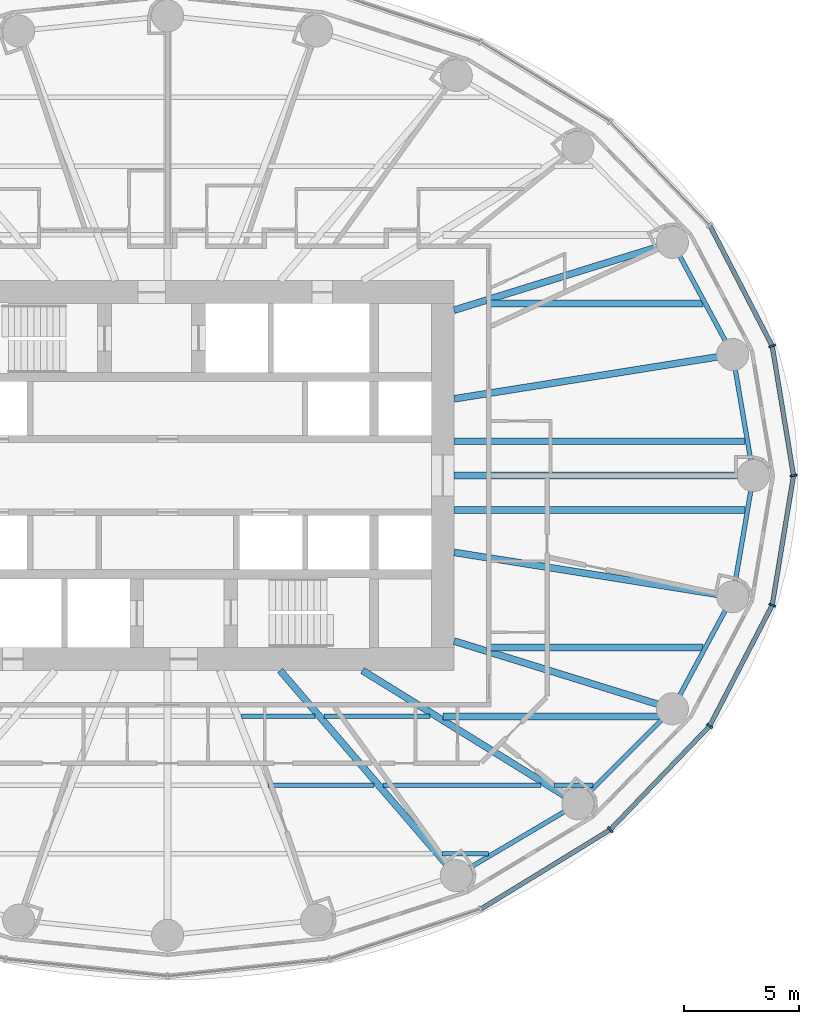
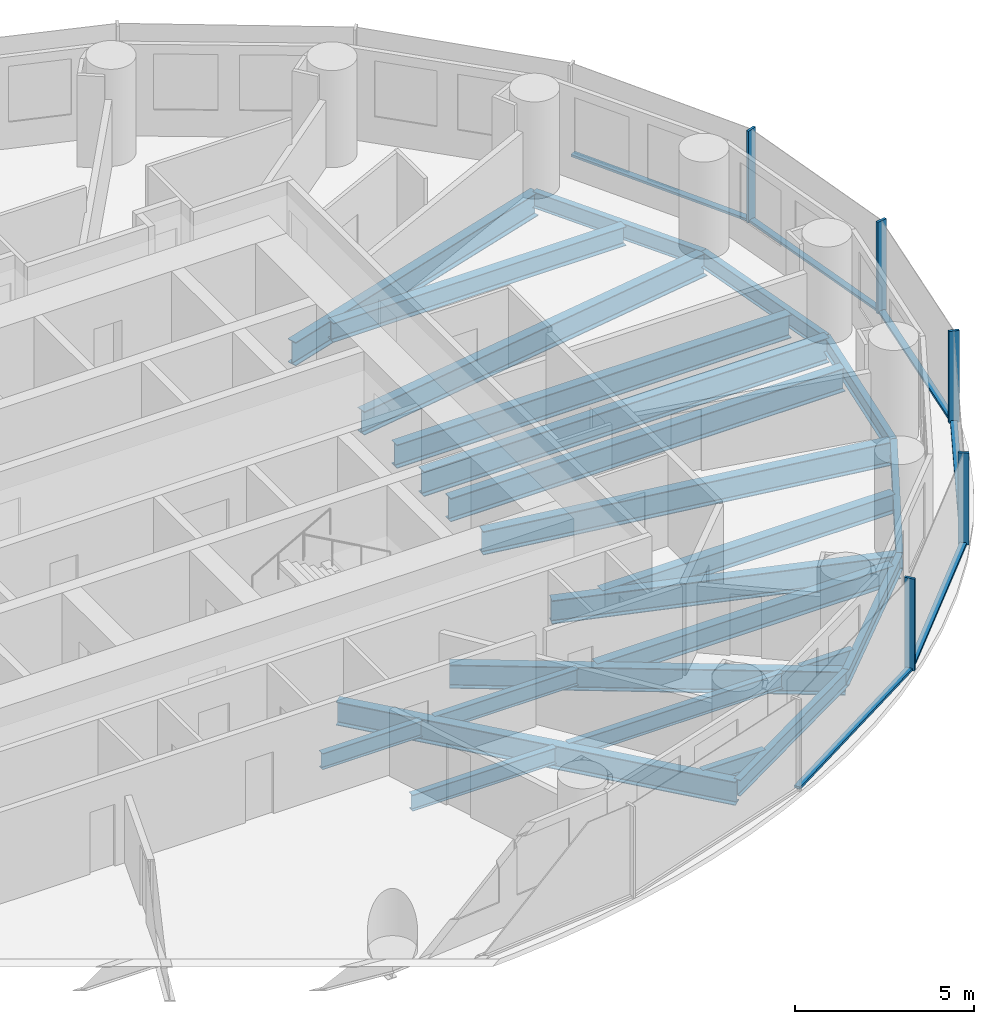
# One storey, part 3 of 14: 24 beams, 11 members, 2 elements without a shape of their own.
"""IFC4 building model written with IfcOpenShell, lengths in metres."""

from ifc_helpers import new_model, si_unit, direction, frame, origin, origin_2d, place, context, subcontext, project, spatial, rectangle, i_section, extrude, material, material_profile, profile_set, type_object, element, aggregate, save


model = new_model("IFC4")

# Units and contexts
model_context = context("Model", 3, precision=1e-05, world=origin(), true_north=direction((0.0, 1.0)))
body_context = subcontext(model_context, "Body", "Model", "MODEL_VIEW")
ifc_project = project(units=[si_unit("LENGTHUNIT", "METRE"), si_unit("AREAUNIT", "SQUARE_METRE"), si_unit("VOLUMEUNIT", "CUBIC_METRE"), si_unit("PLANEANGLEUNIT", "RADIAN"), si_unit("MASSUNIT", "GRAM", prefix="KILO")], contexts=[model_context])

# Site, building, storey
site_placement = place(None, origin())
site = spatial("IfcSite", under=ifc_project, at=site_placement, CompositionType="ELEMENT")
building_placement = place(site_placement, origin())
building = spatial("IfcBuilding", under=site, at=building_placement, Name="Hankou Lantern Tower", CompositionType="ELEMENT")
storey_placement = place(building_placement, frame((0.0, 0.0, 87.0)))
storey = spatial("IfcBuildingStorey", under=building, at=storey_placement, Name="L22", CompositionType="ELEMENT", Elevation=87.0)

# Beams
ifc_material_1 = material(Name="Steel Q355B", Category="steel")
ifc_material_profile_1 = material_profile(ifc_material_1, i_section(OverallWidth=0.199951171875, OverallDepth=0.550048828125, WebThickness=0.010009765625, FlangeThickness=0.01611328125, FilletRadius=0.012939453125, at=origin_2d()), Name="HN550x200x10x16")
ifc_profile_set_1 = profile_set([ifc_material_profile_1], Name="Steel Q355B")
beam_type_1 = type_object("IfcBeamType", Name="EB6 RING BEAM HN550x200x10x16", PredefinedType="SPANDREL", material=ifc_profile_set_1)
beam_1_placement = place(storey_placement, frame((25.550048828125, 0.0, -0.455078125), z_axis=(-0.168489691988, 0.985703415685, 0.0), x_axis=(-0.985703415685, -0.168489691988, 0.0)))
element("IfcBeam", 1, at=beam_1_placement, inside=storey, type_object=beam_type_1, Name="Ring beam R01-R02 L22", PredefinedType="SPANDREL", context=body_context, shape_type="SweptSolid", body=[
    extrude(i_section(OverallWidth=0.199951171875, OverallDepth=0.550048828125, WebThickness=0.010009765625, FlangeThickness=0.01611328125, FilletRadius=0.012939453125, at=origin_2d()), origin(), (0.0, 0.0, 1.0), 5.35986328125),
])
beam_2_placement = place(storey_placement, frame((24.64697265625, 5.283203125, -0.455078125), z_axis=(-0.473609096023, 0.880735161194, 0.0), x_axis=(-0.880735161194, -0.473609096023, 0.0)))
element("IfcBeam", 2, at=beam_2_placement, inside=storey, type_object=beam_type_1, Name="Ring beam R02-R03 L22", PredefinedType="SPANDREL", context=body_context, shape_type="SweptSolid", body=[
    extrude(i_section(OverallWidth=0.199951171875, OverallDepth=0.550048828125, WebThickness=0.010009765625, FlangeThickness=0.01611328125, FilletRadius=0.012939453125, at=origin_2d()), origin(), (0.0, 0.0, 1.0), 5.548828125),
])
beam_3_placement = place(storey_placement, frame((12.5908203125, -17.446533203125, -0.455078125), z_axis=(0.860881533543, 0.508805449268, 0.0), x_axis=(-0.508805449268, 0.860881533543, 0.0)))
element("IfcBeam", 3, at=beam_3_placement, inside=storey, type_object=beam_type_1, Name="Ring beam R21-R22 L22", PredefinedType="SPANDREL", context=body_context, shape_type="SweptSolid", body=[
    extrude(i_section(OverallWidth=0.199951171875, OverallDepth=0.550048828125, WebThickness=0.010009765625, FlangeThickness=0.01611328125, FilletRadius=0.012939453125, at=origin_2d()), origin(), (0.0, 0.0, 1.0), 6.15771484375),
])
beam_4_placement = place(storey_placement, frame((17.891845703125, -14.3134765625, -0.455078125), z_axis=(0.705727798394, 0.708483079949, 0.0), x_axis=(-0.708483079949, 0.705727798394, 0.0)))
element("IfcBeam", 4, at=beam_4_placement, inside=storey, type_object=beam_type_1, Name="Ring beam R22-R23 L22", PredefinedType="SPANDREL", context=body_context, shape_type="SweptSolid", body=[
    extrude(i_section(OverallWidth=0.199951171875, OverallDepth=0.550048828125, WebThickness=0.010009765625, FlangeThickness=0.01611328125, FilletRadius=0.012939453125, at=origin_2d()), origin(), (0.0, 0.0, 1.0), 5.84814453125),
])
beam_5_placement = place(storey_placement, frame((22.01904296875, -10.170166015625, -0.455078125), z_axis=(0.473609096023, 0.880735161194, 0.0), x_axis=(-0.880735161194, 0.473609096023, 0.0)))
element("IfcBeam", 5, at=beam_5_placement, inside=storey, type_object=beam_type_1, Name="Ring beam R23-R24 L22", PredefinedType="SPANDREL", context=body_context, shape_type="SweptSolid", body=[
    extrude(i_section(OverallWidth=0.199951171875, OverallDepth=0.550048828125, WebThickness=0.010009765625, FlangeThickness=0.01611328125, FilletRadius=0.012939453125, at=origin_2d()), origin(), (0.0, 0.0, 1.0), 5.548828125),
])
beam_6_placement = place(storey_placement, frame((24.64697265625, -5.283203125, -0.455078125), z_axis=(0.168489691988, 0.985703415685, 0.0), x_axis=(-0.985703415685, 0.168489691988, 0.0)))
element("IfcBeam", 6, at=beam_6_placement, inside=storey, type_object=beam_type_1, Name="Ring beam R24-R01 L22", PredefinedType="SPANDREL", context=body_context, shape_type="SweptSolid", body=[
    extrude(i_section(OverallWidth=0.199951171875, OverallDepth=0.550048828125, WebThickness=0.010009765625, FlangeThickness=0.01611328125, FilletRadius=0.012939453125, at=origin_2d()), origin(), (0.0, 0.0, 1.0), 5.35986328125),
])

# Curtain wall, members
ifc_material_2 = material(Name="Glass, dark grey tinted laminated", Category="glass")
curtain_wall_type = type_object("IfcCurtainWallType", Name="CWA OUTER SKIN LOW-RISE", PredefinedType="USERDEFINED", material=ifc_material_2)
curtain_wall_1_placement = place(storey_placement, origin())
curtain_wall_1 = element("IfcCurtainWall", 7, at=curtain_wall_1_placement, inside=storey, type_object=curtain_wall_type, Name="CWA L22 OS1", ObjectType="OUTER SKIN LOW-RISE", PredefinedType="USERDEFINED")
ifc_material_3 = material(Name="Aluminium, black anodised", Category="aluminium")
ifc_material_profile_2 = material_profile(ifc_material_3, rectangle(XDim=0.080078125, YDim=0.300048828125, at=origin_2d()), Name="MU1 80X300")
ifc_profile_set_2 = profile_set([ifc_material_profile_2], Name="Aluminium, black anodised")
member_type_1 = type_object("IfcMemberType", Name="MU1 OUTER SKIN MULLION 80X300", PredefinedType="MULLION", material=ifc_profile_set_2)
member_1_placement = place(storey_placement, frame((27.300048828125, 0.0, 0.0), z_axis=(0.0, 0.0, 1.0), x_axis=(-0.162381515188, 0.986728049427, 0.0)))
member_1 = element("IfcMember", 8, at=member_1_placement, type_object=member_type_1, Name="CWA mullion 1", PredefinedType="MULLION", context=body_context, shape_type="SweptSolid", body=[
    extrude(rectangle(XDim=0.080078125, YDim=0.300048828125, at=origin_2d()), origin(), (0.0, 0.0, 1.0), 3.1201171875),
])
member_2_placement = place(storey_placement, frame((26.369873046875, 5.652587890625, 0.0), z_axis=(0.0, 0.0, 1.0), x_axis=(-0.317595577365, 0.94822626479, 0.0)))
member_2 = element("IfcMember", 9, at=member_2_placement, type_object=member_type_1, Name="CWA mullion 2", PredefinedType="MULLION", context=body_context, shape_type="SweptSolid", body=[
    extrude(rectangle(XDim=0.080078125, YDim=0.300048828125, at=origin_2d()), origin(), (0.0, 0.0, 1.0), 3.1201171875),
])

curtain_wall_2_placement = place(storey_placement, origin())
curtain_wall_2 = element("IfcCurtainWall", 10, at=curtain_wall_2_placement, inside=storey, type_object=curtain_wall_type, Name="CWA L22 OS4", ObjectType="OUTER SKIN LOW-RISE", PredefinedType="USERDEFINED")
member_3_placement = place(storey_placement, frame((19.303955078125, -15.443115234375, 0.0), z_axis=(0.0, 0.0, 1.0), x_axis=(0.780868809444, 0.624695047553, 0.0)))
member_3 = element("IfcMember", 11, at=member_3_placement, type_object=member_type_1, Name="CWA mullion 4", PredefinedType="MULLION", context=body_context, shape_type="SweptSolid", body=[
    extrude(rectangle(XDim=0.080078125, YDim=0.300048828125, at=origin_2d()), origin(), (0.0, 0.0, 1.0), 3.1201171875),
])
member_4_placement = place(storey_placement, frame((23.642578125, -10.919921875, 0.0), z_axis=(0.0, 0.0, 1.0), x_axis=(0.585205735974, 0.810884854084, 0.0)))
member_4 = element("IfcMember", 12, at=member_4_placement, type_object=member_type_1, Name="CWA mullion 5", PredefinedType="MULLION", context=body_context, shape_type="SweptSolid", body=[
    extrude(rectangle(XDim=0.080078125, YDim=0.300048828125, at=origin_2d()), origin(), (0.0, 0.0, 1.0), 3.1201171875),
])
member_5_placement = place(storey_placement, frame((26.369873046875, -5.652587890625, 0.0), z_axis=(0.0, 0.0, 1.0), x_axis=(0.317595577365, 0.94822626479, 0.0)))
member_5 = element("IfcMember", 13, at=member_5_placement, type_object=member_type_1, Name="CWA mullion 6", PredefinedType="MULLION", context=body_context, shape_type="SweptSolid", body=[
    extrude(rectangle(XDim=0.080078125, YDim=0.300048828125, at=origin_2d()), origin(), (0.0, 0.0, 1.0), 3.1201171875),
])

# Beams
ifc_material_4 = material(Name="Steel Q355B", Category="steel")
ifc_material_profile_3 = material_profile(ifc_material_4, i_section(OverallWidth=0.300048828125, OverallDepth=0.800048828125, WebThickness=0.013916015625, FlangeThickness=0.02587890625, FilletRadius=0.01806640625, at=origin_2d()), Name="HN800x300x14x26")
ifc_profile_set_3 = profile_set([ifc_material_profile_3], Name="Steel Q355B")
beam_type_2 = type_object("IfcBeamType", Name="RB11 RADIAL BEAM HN800x300x14x26", PredefinedType="BEAM", material=ifc_profile_set_3)
beam_7_placement = place(storey_placement, frame((12.5, 3.349365234375, -0.580078125), z_axis=(0.987563081343, 0.157223281893, 0.0), x_axis=(-0.157223281893, 0.987563081343, 0.0)))
element("IfcBeam", 14, at=beam_7_placement, inside=storey, type_object=beam_type_2, Name="Radial beam R02 L22", PredefinedType="BEAM", context=body_context, shape_type="SweptSolid", body=[
    extrude(i_section(OverallWidth=0.300048828125, OverallDepth=0.800048828125, WebThickness=0.013916015625, FlangeThickness=0.02587890625, FilletRadius=0.01806640625, at=origin_2d()), origin(), (0.0, 0.0, 1.0), 12.300048828125),
])
beam_8_placement = place(storey_placement, frame((12.5, 7.216796875, -0.580078125), z_axis=(0.955087327755, 0.29632447817, 0.0), x_axis=(-0.29632447817, 0.955087327755, 0.0)))
element("IfcBeam", 15, at=beam_8_placement, inside=storey, type_object=beam_type_2, Name="Radial beam R03 L22", PredefinedType="BEAM", context=body_context, shape_type="SweptSolid", body=[
    extrude(i_section(OverallWidth=0.300048828125, OverallDepth=0.800048828125, WebThickness=0.013916015625, FlangeThickness=0.02587890625, FilletRadius=0.01806640625, at=origin_2d()), origin(), (0.0, 0.0, 1.0), 9.966552734375),
])
beam_9_placement = place(storey_placement, frame((4.907470703125, -8.5, -0.580078125), z_axis=(0.651519061225, -0.758632264579, 0.0), x_axis=(0.758632264579, 0.651519061225, 0.0)))
element("IfcBeam", 16, at=beam_9_placement, inside=storey, type_object=beam_type_2, Name="Radial beam R21 L22", PredefinedType="BEAM", context=body_context, shape_type="SweptSolid", body=[
    extrude(i_section(OverallWidth=0.300048828125, OverallDepth=0.800048828125, WebThickness=0.013916015625, FlangeThickness=0.02587890625, FilletRadius=0.01806640625, at=origin_2d()), origin(), (0.0, 0.0, 1.0), 11.79296875),
])
beam_10_placement = place(storey_placement, frame((8.5, -8.5, -0.580078125), z_axis=(0.850286343288, -0.526320372414, 0.0), x_axis=(0.526320372414, 0.850286343288, 0.0)))
element("IfcBeam", 17, at=beam_10_placement, inside=storey, type_object=beam_type_2, Name="Radial beam R22 L22", PredefinedType="BEAM", context=body_context, shape_type="SweptSolid", body=[
    extrude(i_section(OverallWidth=0.300048828125, OverallDepth=0.800048828125, WebThickness=0.013916015625, FlangeThickness=0.02587890625, FilletRadius=0.01806640625, at=origin_2d()), origin(), (0.0, 0.0, 1.0), 11.04541015625),
])
beam_11_placement = place(storey_placement, frame((12.5, -7.216796875, -0.580078125), z_axis=(0.955087327755, -0.29632447817, 0.0), x_axis=(0.29632447817, 0.955087327755, 0.0)))
element("IfcBeam", 18, at=beam_11_placement, inside=storey, type_object=beam_type_2, Name="Radial beam R23 L22", PredefinedType="BEAM", context=body_context, shape_type="SweptSolid", body=[
    extrude(i_section(OverallWidth=0.300048828125, OverallDepth=0.800048828125, WebThickness=0.013916015625, FlangeThickness=0.02587890625, FilletRadius=0.01806640625, at=origin_2d()), origin(), (0.0, 0.0, 1.0), 9.966552734375),
])
beam_12_placement = place(storey_placement, frame((12.5, -3.349365234375, -0.580078125), z_axis=(0.987563081343, -0.157223281893, 0.0), x_axis=(0.157223281893, 0.987563081343, 0.0)))
element("IfcBeam", 19, at=beam_12_placement, inside=storey, type_object=beam_type_2, Name="Radial beam R24 L22", PredefinedType="BEAM", context=body_context, shape_type="SweptSolid", body=[
    extrude(i_section(OverallWidth=0.300048828125, OverallDepth=0.800048828125, WebThickness=0.013916015625, FlangeThickness=0.02587890625, FilletRadius=0.01806640625, at=origin_2d()), origin(), (0.0, 0.0, 1.0), 12.300048828125),
])
ifc_material_5 = material(Name="Steel Q355B", Category="steel")
ifc_material_profile_4 = material_profile(ifc_material_5, i_section(OverallWidth=0.300048828125, OverallDepth=0.85009765625, WebThickness=0.01611328125, FlangeThickness=0.027099609375, FilletRadius=0.01806640625, at=origin_2d()), Name="HN850x300x16x27")
ifc_profile_set_4 = profile_set([ifc_material_profile_4], Name="Steel Q355B")
beam_type_3 = type_object("IfcBeamType", Name="RB12 RADIAL BEAM HN850x300x16x27", PredefinedType="BEAM", material=ifc_profile_set_4)
beam_13_placement = place(storey_placement, frame((12.5, 0.0, -0.60498046875), z_axis=(1.0, 0.0, 0.0), x_axis=(0.0, 1.0, 0.0)))
element("IfcBeam", 20, at=beam_13_placement, inside=storey, type_object=beam_type_3, Name="Radial beam R01 L22", PredefinedType="BEAM", context=body_context, shape_type="SweptSolid", body=[
    extrude(i_section(OverallWidth=0.300048828125, OverallDepth=0.85009765625, WebThickness=0.01611328125, FlangeThickness=0.027099609375, FilletRadius=0.01806640625, at=origin_2d()), origin(), (0.0, 0.0, 1.0), 13.050048828125),
])
ifc_material_6 = material(Name="Steel Q355B", Category="steel")
ifc_material_profile_5 = material_profile(ifc_material_6, i_section(OverallWidth=0.300048828125, OverallDepth=0.800048828125, WebThickness=0.013916015625, FlangeThickness=0.02587890625, FilletRadius=0.01806640625, at=origin_2d()), Name="HN800x300x14x26")
ifc_profile_set_5 = profile_set([ifc_material_profile_5], Name="Steel Q355B")
beam_type_4 = type_object("IfcBeamType", Name="SB11 SECONDARY BEAM HN800x300x14x26", PredefinedType="JOIST", material=ifc_profile_set_5)
for number, where, z_axis, x_axis, name in (
    (21, (12.5, -1.5, -0.580078125), (1.0, 0.0, 0.0), (0.0, 1.0, 0.0), "Floor joist J030 L22"),
    (22, (12.5, 1.5, -0.580078125), (1.0, 0.0, 0.0), (0.0, 1.0, 0.0), "Floor joist J032 L22"),
):
    element("IfcBeam", number, at=place(storey_placement, frame(where, z_axis=z_axis, x_axis=x_axis)), inside=storey, type_object=beam_type_4, Name=name, PredefinedType="JOIST", context=body_context, shape_type="SweptSolid", body=[
        extrude(i_section(OverallWidth=0.300048828125, OverallDepth=0.800048828125, WebThickness=0.013916015625, FlangeThickness=0.02587890625, FilletRadius=0.01806640625, at=origin_2d()), origin(), (0.0, 0.0, 1.0), 12.692138671875),
    ])
ifc_material_7 = material(Name="Steel Q355B", Category="steel")
ifc_material_profile_6 = material_profile(ifc_material_7, i_section(OverallWidth=0.199951171875, OverallDepth=0.550048828125, WebThickness=0.010009765625, FlangeThickness=0.01611328125, FilletRadius=0.012939453125, at=origin_2d()), Name="HN550x200x10x16")
ifc_profile_set_6 = profile_set([ifc_material_profile_6], Name="Steel Q355B")
beam_type_5 = type_object("IfcBeamType", Name="SB6 SECONDARY BEAM HN550x200x10x16", PredefinedType="JOIST", material=ifc_profile_set_6)
beam_14_placement = place(storey_placement, frame((11.975830078125, -16.5, -0.455078125), z_axis=(1.0, 0.0, 0.0), x_axis=(0.0, 1.0, 0.0)))
element("IfcBeam", 23, at=beam_14_placement, inside=storey, type_object=beam_type_5, Name="Floor joist J006 L22", PredefinedType="JOIST", context=body_context, shape_type="SweptSolid", body=[
    extrude(i_section(OverallWidth=0.199951171875, OverallDepth=0.550048828125, WebThickness=0.010009765625, FlangeThickness=0.01611328125, FilletRadius=0.012939453125, at=origin_2d()), origin(), (0.0, 0.0, 1.0), 2.019775390625),
])
beam_15_placement = place(storey_placement, frame((4.37451171875, -13.5, -0.455078125), z_axis=(1.0, 0.0, 0.0), x_axis=(0.0, 1.0, 0.0)))
element("IfcBeam", 24, at=beam_15_placement, inside=storey, type_object=beam_type_5, Name="Floor joist J012 L22", PredefinedType="JOIST", context=body_context, shape_type="SweptSolid", body=[
    extrude(i_section(OverallWidth=0.199951171875, OverallDepth=0.550048828125, WebThickness=0.010009765625, FlangeThickness=0.01611328125, FilletRadius=0.012939453125, at=origin_2d()), origin(), (0.0, 0.0, 1.0), 4.62939453125),
])
beam_16_placement = place(storey_placement, frame((9.3994140625, -13.5, -0.455078125), z_axis=(1.0, 0.0, 0.0), x_axis=(0.0, 1.0, 0.0)))
element("IfcBeam", 25, at=beam_16_placement, inside=storey, type_object=beam_type_5, Name="Floor joist J013 L22", PredefinedType="JOIST", context=body_context, shape_type="SweptSolid", body=[
    extrude(i_section(OverallWidth=0.199951171875, OverallDepth=0.550048828125, WebThickness=0.010009765625, FlangeThickness=0.01611328125, FilletRadius=0.012939453125, at=origin_2d()), origin(), (0.0, 0.0, 1.0), 6.893310546875),
])
beam_17_placement = place(storey_placement, frame((16.86279296875, -13.5, -0.455078125), z_axis=(1.0, 0.0, 0.0), x_axis=(0.0, 1.0, 0.0)))
element("IfcBeam", 26, at=beam_17_placement, inside=storey, type_object=beam_type_5, Name="Floor joist J014 L22", PredefinedType="JOIST", context=body_context, shape_type="SweptSolid", body=[
    extrude(i_section(OverallWidth=0.199951171875, OverallDepth=0.550048828125, WebThickness=0.010009765625, FlangeThickness=0.01611328125, FilletRadius=0.012939453125, at=origin_2d()), origin(), (0.0, 0.0, 1.0), 1.697998046875),
])
beam_18_placement = place(storey_placement, frame((3.212890625, -10.5, -0.455078125), z_axis=(1.0, 0.0, 0.0), x_axis=(0.0, 1.0, 0.0)))
element("IfcBeam", 27, at=beam_18_placement, inside=storey, type_object=beam_type_5, Name="Floor joist J020 L22", PredefinedType="JOIST", context=body_context, shape_type="SweptSolid", body=[
    extrude(i_section(OverallWidth=0.199951171875, OverallDepth=0.550048828125, WebThickness=0.010009765625, FlangeThickness=0.01611328125, FilletRadius=0.012939453125, at=origin_2d()), origin(), (0.0, 0.0, 1.0), 3.214599609375),
])
beam_19_placement = place(storey_placement, frame((6.82275390625, -10.5, -0.455078125), z_axis=(1.0, 0.0, 0.0), x_axis=(0.0, 1.0, 0.0)))
element("IfcBeam", 28, at=beam_19_placement, inside=storey, type_object=beam_type_5, Name="Floor joist J021 L22", PredefinedType="JOIST", context=body_context, shape_type="SweptSolid", body=[
    extrude(i_section(OverallWidth=0.199951171875, OverallDepth=0.550048828125, WebThickness=0.010009765625, FlangeThickness=0.01611328125, FilletRadius=0.012939453125, at=origin_2d()), origin(), (0.0, 0.0, 1.0), 4.623291015625),
])
ifc_material_8 = material(Name="Steel Q355B", Category="steel")
ifc_material_profile_7 = material_profile(ifc_material_8, i_section(OverallWidth=0.300048828125, OverallDepth=0.64990234375, WebThickness=0.010986328125, FlangeThickness=0.01708984375, FilletRadius=0.01806640625, at=origin_2d()), Name="HN650x300x11x17")
ifc_profile_set_7 = profile_set([ifc_material_profile_7], Name="Steel Q355B")
beam_type_6 = type_object("IfcBeamType", Name="SB8 SECONDARY BEAM HN650x300x11x17", PredefinedType="JOIST", material=ifc_profile_set_7)
beam_20_placement = place(storey_placement, frame((12.01611328125, -10.5, -0.5048828125), z_axis=(1.0, 0.0, 0.0), x_axis=(0.0, 1.0, 0.0)))
element("IfcBeam", 29, at=beam_20_placement, inside=storey, type_object=beam_type_6, Name="Floor joist J022 L22", PredefinedType="JOIST", context=body_context, shape_type="SweptSolid", body=[
    extrude(i_section(OverallWidth=0.300048828125, OverallDepth=0.64990234375, WebThickness=0.010986328125, FlangeThickness=0.01708984375, FilletRadius=0.01806640625, at=origin_2d()), origin(), (0.0, 0.0, 1.0), 9.533203125),
])
for number, where, z_axis, x_axis, name in (
    (30, (13.918701171875, -7.5, -0.5048828125), (1.0, 0.0, 0.0), (0.0, 1.0, 0.0), "Floor joist J024 L22"),
    (31, (13.918701171875, 7.5, -0.5048828125), (1.0, 0.0, 0.0), (0.0, 1.0, 0.0), "Floor joist J038 L22"),
):
    element("IfcBeam", number, at=place(storey_placement, frame(where, z_axis=z_axis, x_axis=x_axis)), inside=storey, type_object=beam_type_6, Name=name, PredefinedType="JOIST", context=body_context, shape_type="SweptSolid", body=[
        extrude(i_section(OverallWidth=0.300048828125, OverallDepth=0.64990234375, WebThickness=0.010986328125, FlangeThickness=0.01708984375, FilletRadius=0.01806640625, at=origin_2d()), origin(), (0.0, 0.0, 1.0), 9.4228515625),
    ])

# Member
ifc_material_9 = material(Name="Aluminium, black anodised", Category="aluminium")
ifc_material_profile_8 = material_profile(ifc_material_9, rectangle(XDim=0.199951171875, YDim=0.080078125, at=origin_2d()), Name="TR1 200X80")
ifc_profile_set_8 = profile_set([ifc_material_profile_8], Name="Aluminium, black anodised")
member_type_2 = type_object("IfcMemberType", Name="TR1 OUTER SKIN TRANSOM 200X80", PredefinedType="USERDEFINED", material=ifc_profile_set_8)
member_6_placement = place(storey_placement, frame((27.29345703125, 0.03955078125, 0.0400390625), z_axis=(-0.162387045529, 0.986727139307, 0.0), x_axis=(-0.986727139307, -0.162387045529, 0.0)))
member_6 = element("IfcMember", 32, at=member_6_placement, type_object=member_type_2, Name="CWA transom 1", ObjectType="TRANSOM", PredefinedType="USERDEFINED", context=body_context, shape_type="SweptSolid", body=[
    extrude(rectangle(XDim=0.199951171875, YDim=0.080078125, at=origin_2d()), origin(), (0.0, 0.0, 1.0), 5.6484375),
])

member_7_placement = place(storey_placement, frame((26.351318359375, 5.688232421875, 0.0400390625), z_axis=(-0.459786096495, 0.888029698529, 0.0), x_axis=(-0.888029698529, -0.459786096495, 0.0)))
member_7 = element("IfcMember", 33, at=member_7_placement, type_object=member_type_2, Name="CWA transom 2", ObjectType="TRANSOM", PredefinedType="USERDEFINED", context=body_context, shape_type="SweptSolid", body=[
    extrude(rectangle(XDim=0.199951171875, YDim=0.080078125, at=origin_2d()), origin(), (0.0, 0.0, 1.0), 5.8515625),
])

aggregate(curtain_wall_1, [member_1, member_2, member_6, member_7])

member_8_placement = place(storey_placement, frame((13.68408203125, -18.89306640625, 0.0400390625), z_axis=(0.85223969557, 0.523151508929, 0.0), x_axis=(-0.523151508929, 0.85223969557, 0.0)))
member_8 = element("IfcMember", 34, at=member_8_placement, type_object=member_type_2, Name="CWA transom 3", ObjectType="TRANSOM", PredefinedType="USERDEFINED", context=body_context, shape_type="SweptSolid", body=[
    extrude(rectangle(XDim=0.199951171875, YDim=0.080078125, at=origin_2d()), origin(), (0.0, 0.0, 1.0), 6.554443359375),
])

member_9_placement = place(storey_placement, frame((19.331787109375, -15.414306640625, 0.0400390625), z_axis=(0.692215537374, 0.721690827029, 0.0), x_axis=(-0.721690827029, 0.692215537374, 0.0)))
member_9 = element("IfcMember", 35, at=member_9_placement, type_object=member_type_2, Name="CWA transom 4", ObjectType="TRANSOM", PredefinedType="USERDEFINED", context=body_context, shape_type="SweptSolid", body=[
    extrude(rectangle(XDim=0.199951171875, YDim=0.080078125, at=origin_2d()), origin(), (0.0, 0.0, 1.0), 6.187255859375),
])

member_10_placement = place(storey_placement, frame((23.660888671875, -10.884521484375, 0.0400390625), z_axis=(0.459786096495, 0.888029698529, 0.0), x_axis=(-0.888029698529, 0.459786096495, 0.0)))
member_10 = element("IfcMember", 36, at=member_10_placement, type_object=member_type_2, Name="CWA transom 5", ObjectType="TRANSOM", PredefinedType="USERDEFINED", context=body_context, shape_type="SweptSolid", body=[
    extrude(rectangle(XDim=0.199951171875, YDim=0.080078125, at=origin_2d()), origin(), (0.0, 0.0, 1.0), 5.8515625),
])

member_11_placement = place(storey_placement, frame((26.376220703125, -5.613037109375, 0.0400390625), z_axis=(0.162387045529, 0.986727139307, 0.0), x_axis=(-0.986727139307, 0.162387045529, 0.0)))
member_11 = element("IfcMember", 37, at=member_11_placement, type_object=member_type_2, Name="CWA transom 6", ObjectType="TRANSOM", PredefinedType="USERDEFINED", context=body_context, shape_type="SweptSolid", body=[
    extrude(rectangle(XDim=0.199951171875, YDim=0.080078125, at=origin_2d()), origin(), (0.0, 0.0, 1.0), 5.6484375),
])

aggregate(curtain_wall_2, [member_3, member_4, member_5, member_8, member_9, member_10, member_11])

save(model, "model.ifc")
